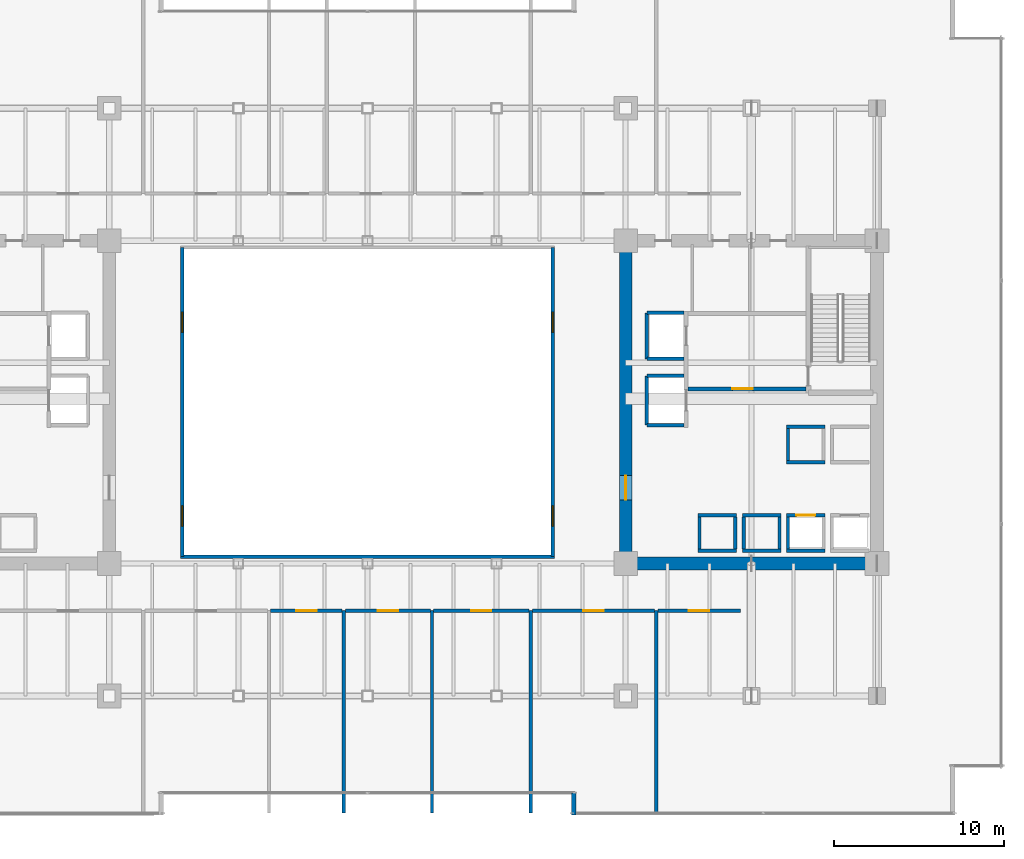
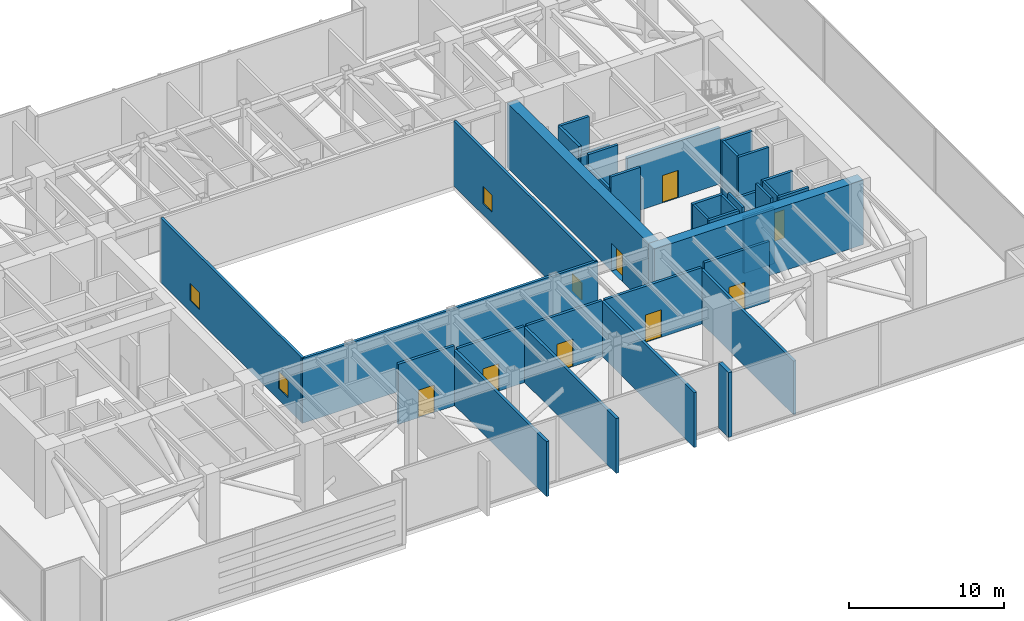
# One storey, part 33 of 38: 36 walls, 8 doors, 4 windows, 12 openings.
"""IFC4 building model written with IfcOpenShell, lengths in metres."""

from ifc_helpers import new_model, si_unit, direction, frame, frame_2d, origin, place, context, subcontext, project, spatial, rectangle, extrude, source, transform, mapped, material, layer, layer_set, type_object, type_shapes, element, fill, save


model = new_model("IFC4")

# Units and contexts
model_context = context("Model", 3, precision=1e-05, world=origin(), true_north=direction((0.0, 1.0)))
body_context = subcontext(model_context, "Body", "Model", "MODEL_VIEW")
ifc_project = project(units=[si_unit("LENGTHUNIT", "METRE"), si_unit("AREAUNIT", "SQUARE_METRE"), si_unit("VOLUMEUNIT", "CUBIC_METRE"), si_unit("PLANEANGLEUNIT", "RADIAN"), si_unit("MASSUNIT", "GRAM", prefix="KILO")], contexts=[model_context])

# Site, building, storey
site_placement = place(None, origin())
site = spatial("IfcSite", under=ifc_project, at=site_placement, CompositionType="ELEMENT")
building_placement = place(site_placement, origin())
building = spatial("IfcBuilding", under=site, at=building_placement, Name="Haelvirn Gate Laboratories", CompositionType="ELEMENT")
storey_placement = place(building_placement, frame((0.0, 0.0, 94.89990234375)))
storey = spatial("IfcBuildingStorey", under=building, at=storey_placement, Name="L23", CompositionType="ELEMENT", Elevation=94.89990234375)

# Wall
ifc_material_1 = material(Name="Thermally-broken bronze aluminium rainscreen & mineral wool", Category="aluminium")
ifc_layer_1 = layer(ifc_material_1, 0.280029296875, Name="EW-TERR-280")
ifc_layer_set_1 = layer_set([ifc_layer_1], Name="Thermally-broken bronze aluminium rainscreen & mineral wool")
wall_type_1 = type_object("IfcWallType", Name="EW-TERR-280", PredefinedType="STANDARD", material=ifc_layer_set_1)
wall_1_placement = place(storey_placement, frame((49.5400390625, 1.2880859375, 0.0), z_axis=(0.0, 0.0, 1.0), x_axis=(0.0, -1.0, 0.0)))
element("IfcWall", 1, at=wall_1_placement, inside=storey, type_object=wall_type_1, Name="L23 Atrium Recess Bronze Return Wall 03", PredefinedType="STANDARD", context=body_context, shape_type="SweptSolid", body=[
    extrude(rectangle(XDim=1.2880859375, YDim=0.280029296875, at=frame_2d((0.64404296875, 0.0))), origin(), (0.0, 0.0, 1.0), 5.090087890625),
])

# Wall, openings, windows
ifc_material_2 = material(Name="Tempered fire-rated borosilicate glass & anodised aluminium", Category="aluminium")
ifc_layer_2 = layer(ifc_material_2, 0.195068359375, Name="IW-GLAZ-200")
ifc_layer_set_2 = layer_set([ifc_layer_2], Name="Tempered fire-rated borosilicate glass & anodised aluminium")
wall_type_2 = type_object("IfcWallType", Name="IW-GLAZ-200", PredefinedType="SOLIDWALL", material=ifc_layer_set_2)
wall_2_placement = place(storey_placement, frame((26.5, 15.199951171875, 0.0), z_axis=(0.0, 0.0, 1.0), x_axis=(0.0, 1.0, 0.0)))
wall_2 = element("IfcWall", 2, at=wall_2_placement, inside=storey, type_object=wall_type_2, Name="L23 Interior Wall IW-L23-ATRIUM-W", PredefinedType="SOLIDWALL", context=body_context, shape_type="SweptSolid", body=[
    extrude(rectangle(XDim=18.199951171875, YDim=0.195068359375, at=frame_2d((9.10009765625, 0.0))), origin(), (0.0, 0.0, 1.0), 5.090087890625),
])
opening_1_placement = place(wall_2_placement, frame((1.800048828125, 0.0, 0.89990234375)))
opening_1 = element("IfcOpeningElement", 3, at=opening_1_placement, cuts=wall_2, Name="Opening W6", PredefinedType="OPENING", context=body_context, shape_type="SweptSolid", body=[
    extrude(rectangle(XDim=1.199951171875, YDim=1.35009765625, at=frame_2d((0.60009765625, 0.675048828125))), frame((0.0, 0.107421875, 0.0), z_axis=(0.0, -1.0, 0.0), x_axis=(1.0, 0.0, 0.0)), (0.0, 0.0, 1.0), 0.215087890625),
])
opening_2_placement = place(wall_2_placement, frame((13.199951171875, 0.0, 0.89990234375)))
opening_2 = element("IfcOpeningElement", 4, at=opening_2_placement, cuts=wall_2, Name="Opening W6", PredefinedType="OPENING", context=body_context, shape_type="SweptSolid", body=[
    extrude(rectangle(XDim=1.199951171875, YDim=1.35009765625, at=frame_2d((0.60009765625, 0.675048828125))), frame((0.0, 0.107421875, 0.0), z_axis=(0.0, -1.0, 0.0), x_axis=(1.0, 0.0, 0.0)), (0.0, 0.0, 1.0), 0.215087890625),
])
ifc_material_3 = material(Name="Fire-rated EI 120 borosilicate atrium vision glazing", Category="glass")
window_type = type_object("IfcWindowType", Name="WN-ATR-1200", PartitioningType="SINGLE_PANEL", PredefinedType="WINDOW", material=ifc_material_3)
shared_shape_1 = source(origin(), body_context, "Body", "SweptSolid", [
    extrude(rectangle(XDim=1.199951171875, YDim=1.35009765625, at=frame_2d((0.60009765625, 0.675048828125))), frame((0.0, 0.030029296875, 0.0), z_axis=(0.0, -1.0, 0.0), x_axis=(1.0, 0.0, 0.0)), (0.0, 0.0, 1.0), 0.06005859375),
])
type_shapes(window_type, [shared_shape_1])
window_1_placement = place(opening_1_placement, origin())
window_1 = element("IfcWindow", 5, at=window_1_placement, inside=storey, type_object=window_type, Name="L23 Atrium Observation Window 1", OverallHeight=1.35009765625, OverallWidth=1.199951171875, PartitioningType="SINGLE_PANEL", PredefinedType="WINDOW", context=body_context, shape_type="MappedRepresentation", body=[
    mapped(shared_shape_1, transform((0.0, 0.0, 0.0), scale=1.0)),
])
fill(opening_1, window_1)
window_2_placement = place(opening_2_placement, origin())
window_2 = element("IfcWindow", 6, at=window_2_placement, inside=storey, type_object=window_type, Name="L23 Atrium Observation Window 2", OverallHeight=1.35009765625, OverallWidth=1.199951171875, PartitioningType="SINGLE_PANEL", PredefinedType="WINDOW", context=body_context, shape_type="MappedRepresentation", body=[
    mapped(shared_shape_1, transform((0.0, 0.0, 0.0), scale=1.0)),
])
fill(opening_2, window_2)

wall_3_placement = place(storey_placement, frame((48.300048828125, 15.199951171875, 0.0), z_axis=(0.0, 0.0, 1.0), x_axis=(0.0, 1.0, 0.0)))
wall_3 = element("IfcWall", 7, at=wall_3_placement, inside=storey, type_object=wall_type_2, Name="L23 Interior Wall IW-L23-ATRIUM-E", PredefinedType="SOLIDWALL", context=body_context, shape_type="SweptSolid", body=[
    extrude(rectangle(XDim=18.199951171875, YDim=0.195068359375, at=frame_2d((9.10009765625, 0.0))), origin(), (0.0, 0.0, 1.0), 5.090087890625),
])
opening_3_placement = place(wall_3_placement, frame((1.800048828125, 0.0, 0.89990234375)))
opening_3 = element("IfcOpeningElement", 8, at=opening_3_placement, cuts=wall_3, Name="Opening W6", PredefinedType="OPENING", context=body_context, shape_type="SweptSolid", body=[
    extrude(rectangle(XDim=1.199951171875, YDim=1.35009765625, at=frame_2d((0.60009765625, 0.675048828125))), frame((0.0, 0.107421875, 0.0), z_axis=(0.0, -1.0, 0.0), x_axis=(1.0, 0.0, 0.0)), (0.0, 0.0, 1.0), 0.215087890625),
])
opening_4_placement = place(wall_3_placement, frame((13.199951171875, 0.0, 0.89990234375)))
opening_4 = element("IfcOpeningElement", 9, at=opening_4_placement, cuts=wall_3, Name="Opening W6", PredefinedType="OPENING", context=body_context, shape_type="SweptSolid", body=[
    extrude(rectangle(XDim=1.199951171875, YDim=1.35009765625, at=frame_2d((0.60009765625, 0.675048828125))), frame((0.0, 0.107421875, 0.0), z_axis=(0.0, -1.0, 0.0), x_axis=(1.0, 0.0, 0.0)), (0.0, 0.0, 1.0), 0.215087890625),
])
window_3_placement = place(opening_3_placement, origin())
window_3 = element("IfcWindow", 10, at=window_3_placement, inside=storey, type_object=window_type, Name="L23 Atrium Observation Window 1", OverallHeight=1.35009765625, OverallWidth=1.199951171875, PartitioningType="SINGLE_PANEL", PredefinedType="WINDOW", context=body_context, shape_type="MappedRepresentation", body=[
    mapped(shared_shape_1, transform((0.0, 0.0, 0.0), scale=1.0)),
])
fill(opening_3, window_3)
window_4_placement = place(opening_4_placement, origin())
window_4 = element("IfcWindow", 11, at=window_4_placement, inside=storey, type_object=window_type, Name="L23 Atrium Observation Window 2", OverallHeight=1.35009765625, OverallWidth=1.199951171875, PartitioningType="SINGLE_PANEL", PredefinedType="WINDOW", context=body_context, shape_type="MappedRepresentation", body=[
    mapped(shared_shape_1, transform((0.0, 0.0, 0.0), scale=1.0)),
])
fill(opening_4, window_4)

# Walls
wall_4_placement = place(storey_placement, frame((26.39990234375, 15.199951171875, 0.0), z_axis=(0.0, 0.0, 1.0), x_axis=(1.0, 0.0, 0.0)))
element("IfcWall", 12, at=wall_4_placement, inside=storey, type_object=wall_type_2, Name="L23 Interior Wall IW-L23-ATRIUM-S", PredefinedType="SOLIDWALL", context=body_context, shape_type="SweptSolid", body=[
    extrude(rectangle(XDim=22.0, YDim=0.195068359375, at=frame_2d((11.0, 0.0))), origin(), (0.0, 0.0, 1.0), 5.090087890625),
])
ifc_material_4 = material(Name="Concrete C40/50", Category="concrete")
ifc_layer_3 = layer(ifc_material_4, 0.179931640625, Name="IW-SHAFT-180")
ifc_layer_set_3 = layer_set([ifc_layer_3], Name="Concrete C40/50")
wall_type_3 = type_object("IfcWallType", Name="IW-SHAFT-180", PredefinedType="SOLIDWALL", material=ifc_layer_set_3)
for number, where, z_axis, x_axis, name in (
    (13, (62.14990234375, 15.64990234375, 0.0), (0.0, 0.0, 1.0), (0.0, 1.0, 0.0), "L23 Interior Wall IW-L23-PL4-SD"),
    (14, (59.550048828125, 15.64990234375, 0.0), (0.0, 0.0, 1.0), (0.0, 1.0, 0.0), "L23 Interior Wall IW-L23-PL7-SD"),
    (15, (61.64990234375, 15.64990234375, 0.0), (0.0, 0.0, 1.0), (0.0, 1.0, 0.0), "L23 Interior Wall IW-L23-PL7-SDE"),
    (16, (56.949951171875, 15.64990234375, 0.0), (0.0, 0.0, 1.0), (0.0, 1.0, 0.0), "L23 Interior Wall IW-L23-PL8-SD"),
    (17, (59.050048828125, 15.64990234375, 0.0), (0.0, 0.0, 1.0), (0.0, 1.0, 0.0), "L23 Interior Wall IW-L23-PL8-SDE"),
):
    element("IfcWall", number, at=place(storey_placement, frame(where, z_axis=z_axis, x_axis=x_axis)), inside=storey, type_object=wall_type_3, Name=name, PredefinedType="SOLIDWALL", context=body_context, shape_type="SweptSolid", body=[
        extrude(rectangle(XDim=1.900146484375, YDim=0.179931640625, at=frame_2d((0.9501953125, 0.0))), origin(), (0.0, 0.0, 1.0), 5.090087890625),
    ])
wall_5_placement = place(storey_placement, frame((62.14990234375, 20.85009765625, 0.0), z_axis=(0.0, 0.0, 1.0), x_axis=(0.0, 1.0, 0.0)))
element("IfcWall", 18, at=wall_5_placement, inside=storey, type_object=wall_type_3, Name="L23 Interior Wall IW-L23-PL12-SD", PredefinedType="SOLIDWALL", context=body_context, shape_type="SweptSolid", body=[
    extrude(rectangle(XDim=1.89990234375, YDim=0.179931640625, at=frame_2d((0.949951171875, 0.0))), origin(), (0.0, 0.0, 1.0), 5.090087890625),
])

# Wall, opening, door
ifc_layer_4 = layer(ifc_material_4, 0.199951171875, Name="IW-SHAFT-200")
ifc_layer_set_4 = layer_set([ifc_layer_4], Name="Concrete C40/50")
wall_type_4 = type_object("IfcWallType", Name="IW-SHAFT-200", PredefinedType="SOLIDWALL", material=ifc_layer_set_4)
wall_6_placement = place(storey_placement, frame((62.070068359375, 17.64990234375, 0.0), z_axis=(0.0, 0.0, 1.0), x_axis=(1.0, 0.0, 0.0)))
wall_6 = element("IfcWall", 19, at=wall_6_placement, inside=storey, type_object=wall_type_4, Name="L23 Interior Wall IW-L23-PL4-FR", PredefinedType="SOLIDWALL", context=body_context, shape_type="SweptSolid", body=[
    extrude(rectangle(XDim=2.260009765625, YDim=0.199951171875, at=frame_2d((1.1298828125, 0.0))), origin(), (0.0, 0.0, 1.0), 5.090087890625),
])
opening_5_placement = place(wall_6_placement, frame((0.580078125, 0.0, 0.0)))
opening_5 = element("IfcOpeningElement", 20, at=opening_5_placement, cuts=wall_6, Name="Opening LD2", PredefinedType="OPENING", context=body_context, shape_type="SweptSolid", body=[
    extrude(rectangle(XDim=1.10009765625, YDim=2.219970703125, at=frame_2d((0.550048828125, 1.10986328125))), frame((0.0, 0.10986328125, 0.0), z_axis=(0.0, -1.0, 0.0), x_axis=(1.0, 0.0, 0.0)), (0.0, 0.0, 1.0), 0.219970703125),
])
ifc_material_5 = material(Name="Bronze stainless 316L sliding lift landing door")
door_type_1 = type_object("IfcDoorType", Name="DR-LD-1100", OperationType="NOTDEFINED", PredefinedType="USERDEFINED", material=ifc_material_5)
shared_shape_2 = source(origin(), body_context, "Body", "SweptSolid", [
    extrude(rectangle(XDim=1.10009765625, YDim=2.219970703125, at=frame_2d((0.550048828125, 1.10986328125))), frame((0.0, 0.02490234375, 0.0), z_axis=(0.0, -1.0, 0.0), x_axis=(1.0, 0.0, 0.0)), (0.0, 0.0, 1.0), 0.050048828125),
])
type_shapes(door_type_1, [shared_shape_2])
door_1_placement = place(opening_5_placement, origin())
door_1 = element("IfcDoor", 21, at=door_1_placement, inside=storey, type_object=door_type_1, Name="L23 Passenger Lift PL4 Landing Door", ObjectType="LANDING_DOOR", OperationType="SLIDING_TO_RIGHT", OverallHeight=2.219970703125, OverallWidth=1.10009765625, PredefinedType="USERDEFINED", context=body_context, shape_type="MappedRepresentation", body=[
    mapped(shared_shape_2, transform((0.0, 0.0, 0.0), scale=1.0)),
])
fill(opening_5, door_1)

# Walls
wall_7_placement = place(storey_placement, frame((62.070068359375, 15.550048828125, 0.0), z_axis=(0.0, 0.0, 1.0), x_axis=(1.0, 0.0, 0.0)))
element("IfcWall", 22, at=wall_7_placement, inside=storey, type_object=wall_type_4, Name="L23 Interior Wall IW-L23-PL4-BK", PredefinedType="SOLIDWALL", context=body_context, shape_type="SweptSolid", body=[
    extrude(rectangle(XDim=2.260009765625, YDim=0.199951171875, at=frame_2d((1.1298828125, 0.0))), origin(), (0.0, 0.0, 1.0), 5.090087890625),
])
for number, where, z_axis, x_axis, name in (
    (23, (59.469970703125, 17.64990234375, 0.0), (0.0, 0.0, 1.0), (1.0, 0.0, 0.0), "L23 Interior Wall IW-L23-PL7-FR"),
    (24, (59.469970703125, 15.550048828125, 0.0), (0.0, 0.0, 1.0), (1.0, 0.0, 0.0), "L23 Interior Wall IW-L23-PL7-BK"),
):
    element("IfcWall", number, at=place(storey_placement, frame(where, z_axis=z_axis, x_axis=x_axis)), inside=storey, type_object=wall_type_4, Name=name, PredefinedType="SOLIDWALL", context=body_context, shape_type="SweptSolid", body=[
        extrude(rectangle(XDim=2.260009765625, YDim=0.199951171875, at=frame_2d((1.1298828125, 0.0))), origin(), (0.0, 0.0, 1.0), 4.425048828125),
    ])
for number, where, z_axis, x_axis, name in (
    (25, (56.8701171875, 17.64990234375, 0.0), (0.0, 0.0, 1.0), (1.0, 0.0, 0.0), "L23 Interior Wall IW-L23-PL8-FR"),
    (26, (56.8701171875, 15.550048828125, 0.0), (0.0, 0.0, 1.0), (1.0, 0.0, 0.0), "L23 Interior Wall IW-L23-PL8-BK"),
):
    element("IfcWall", number, at=place(storey_placement, frame(where, z_axis=z_axis, x_axis=x_axis)), inside=storey, type_object=wall_type_4, Name=name, PredefinedType="SOLIDWALL", context=body_context, shape_type="SweptSolid", body=[
        extrude(rectangle(XDim=2.259765625, YDim=0.199951171875, at=frame_2d((1.1298828125, 0.0))), origin(), (0.0, 0.0, 1.0), 5.090087890625),
    ])
for number, where, z_axis, x_axis, name in (
    (27, (62.070068359375, 20.75, 0.0), (0.0, 0.0, 1.0), (1.0, 0.0, 0.0), "L23 Interior Wall IW-L23-PL12-FR"),
    (28, (62.070068359375, 22.85009765625, 0.0), (0.0, 0.0, 1.0), (1.0, 0.0, 0.0), "L23 Interior Wall IW-L23-PL12-BK"),
):
    element("IfcWall", number, at=place(storey_placement, frame(where, z_axis=z_axis, x_axis=x_axis)), inside=storey, type_object=wall_type_4, Name=name, PredefinedType="SOLIDWALL", context=body_context, shape_type="SweptSolid", body=[
        extrude(rectangle(XDim=2.260009765625, YDim=0.199951171875, at=frame_2d((1.1298828125, 0.0))), origin(), (0.0, 0.0, 1.0), 5.090087890625),
    ])
wall_8_placement = place(storey_placement, frame((53.85009765625, 26.85009765625, 0.0), z_axis=(0.0, 0.0, 1.0), x_axis=(0.0, 1.0, 0.0)))
element("IfcWall", 29, at=wall_8_placement, inside=storey, type_object=wall_type_4, Name="L23 Interior Wall IW-L23-FL2-BK", PredefinedType="SOLIDWALL", context=body_context, shape_type="SweptSolid", body=[
    extrude(rectangle(XDim=2.699951171875, YDim=0.199951171875, at=frame_2d((1.35009765625, 0.0))), origin(), (0.0, 0.0, 1.0), 5.090087890625),
])
wall_9_placement = place(storey_placement, frame((53.85009765625, 29.550048828125, 0.0), z_axis=(0.0, 0.0, 1.0), x_axis=(1.0, 0.0, 0.0)))
element("IfcWall", 30, at=wall_9_placement, inside=storey, type_object=wall_type_4, Name="L23 Interior Wall IW-L23-FL2-N", PredefinedType="SOLIDWALL", context=body_context, shape_type="SweptSolid", body=[
    extrude(rectangle(XDim=2.18994140625, YDim=0.199951171875, at=frame_2d((1.094970703125, 0.0))), origin(), (0.0, 0.0, 1.0), 5.090087890625),
])
wall_10_placement = place(storey_placement, frame((53.85009765625, 26.85009765625, 0.0), z_axis=(0.0, 0.0, 1.0), x_axis=(1.0, 0.0, 0.0)))
element("IfcWall", 31, at=wall_10_placement, inside=storey, type_object=wall_type_4, Name="L23 Interior Wall IW-L23-FL2-S", PredefinedType="SOLIDWALL", context=body_context, shape_type="SweptSolid", body=[
    extrude(rectangle(XDim=2.18994140625, YDim=0.199951171875, at=frame_2d((1.094970703125, 0.0))), origin(), (0.0, 0.0, 1.0), 4.487060546875),
])
wall_11_placement = place(storey_placement, frame((53.85009765625, 22.949951171875, 0.0), z_axis=(0.0, 0.0, 1.0), x_axis=(0.0, 1.0, 0.0)))
element("IfcWall", 32, at=wall_11_placement, inside=storey, type_object=wall_type_4, Name="L23 Interior Wall IW-L23-SL2-BK", PredefinedType="SOLIDWALL", context=body_context, shape_type="SweptSolid", body=[
    extrude(rectangle(XDim=2.900146484375, YDim=0.199951171875, at=frame_2d((1.4501953125, 0.0))), origin(), (0.0, 0.0, 1.0), 4.175048828125),
])
for number, where, z_axis, x_axis, name in (
    (33, (53.85009765625, 25.85009765625, 0.0), (0.0, 0.0, 1.0), (1.0, 0.0, 0.0), "L23 Interior Wall IW-L23-SL2-N"),
    (34, (53.85009765625, 22.949951171875, 0.0), (0.0, 0.0, 1.0), (1.0, 0.0, 0.0), "L23 Interior Wall IW-L23-SL2-S"),
):
    element("IfcWall", number, at=place(storey_placement, frame(where, z_axis=z_axis, x_axis=x_axis)), inside=storey, type_object=wall_type_4, Name=name, PredefinedType="SOLIDWALL", context=body_context, shape_type="SweptSolid", body=[
        extrude(rectangle(XDim=2.18994140625, YDim=0.199951171875, at=frame_2d((1.094970703125, 0.0))), origin(), (0.0, 0.0, 1.0), 5.090087890625),
    ])

# Wall, opening, door
wall_12_placement = place(storey_placement, frame((31.699951171875, 12.02001953125, 0.0), z_axis=(0.0, 0.0, 1.0), x_axis=(1.0, 0.0, 0.0)))
wall_12 = element("IfcWall", 35, at=wall_12_placement, inside=storey, type_object=wall_type_4, Name="L23 Interior Wall IW-L23-PSW-3", PredefinedType="SOLIDWALL", context=body_context, shape_type="SweptSolid", body=[
    extrude(rectangle(XDim=4.199951171875, YDim=0.199951171875, at=frame_2d((2.10009765625, 0.0))), origin(), (0.0, 0.0, 1.0), 4.72509765625),
])
opening_6_placement = place(wall_12_placement, frame((1.5, 0.0, 0.0)))
opening_6 = element("IfcOpeningElement", 36, at=opening_6_placement, cuts=wall_12, Name="Opening FD2", PredefinedType="OPENING", context=body_context, shape_type="SweptSolid", body=[
    extrude(rectangle(XDim=1.199951171875, YDim=2.159912109375, at=frame_2d((0.60009765625, 1.080078125))), frame((0.0, 0.10986328125, 0.0), z_axis=(0.0, -1.0, 0.0), x_axis=(1.0, 0.0, 0.0)), (0.0, 0.0, 1.0), 0.219970703125),
])
ifc_material_6 = material(Name="Fire-rated steel SM355 compartment door", Category="steel")
door_type_2 = type_object("IfcDoorType", Name="DR-FD-1200", OperationType="NOTDEFINED", PredefinedType="DOOR", material=ifc_material_6)
shared_shape_3 = source(origin(), body_context, "Body", "SweptSolid", [
    extrude(rectangle(XDim=1.199951171875, YDim=2.159912109375, at=frame_2d((0.60009765625, 1.080078125))), frame((0.0, 0.02490234375, 0.0), z_axis=(0.0, -1.0, 0.0), x_axis=(1.0, 0.0, 0.0)), (0.0, 0.0, 1.0), 0.050048828125),
])
type_shapes(door_type_2, [shared_shape_3])
door_2_placement = place(opening_6_placement, origin())
door_2 = element("IfcDoor", 37, at=door_2_placement, inside=storey, type_object=door_type_2, Name="L23 Low-Zone Chilled-Water Mechanical Plant Fire Door", OperationType="SINGLE_SWING_LEFT", OverallHeight=2.159912109375, OverallWidth=1.199951171875, PredefinedType="DOOR", context=body_context, shape_type="MappedRepresentation", body=[
    mapped(shared_shape_3, transform((0.0, 0.0, 0.0), scale=1.0)),
])
fill(opening_6, door_2)

# Wall
wall_13_placement = place(storey_placement, frame((36.0, 0.110107421875, 0.0), z_axis=(0.0, 0.0, 1.0), x_axis=(0.0, 1.0, 0.0)))
element("IfcWall", 38, at=wall_13_placement, inside=storey, type_object=wall_type_4, Name="L23 Interior Wall IW-L23-PSDIV-3", PredefinedType="SOLIDWALL", context=body_context, shape_type="SweptSolid", body=[
    extrude(rectangle(XDim=11.909912109375, YDim=0.199951171875, at=frame_2d((5.955078125, 0.0))), origin(), (0.0, 0.0, 1.0), 4.3251953125),
])

# Wall, opening, door
wall_14_placement = place(storey_placement, frame((36.10009765625, 12.02001953125, 0.0), z_axis=(0.0, 0.0, 1.0), x_axis=(1.0, 0.0, 0.0)))
wall_14 = element("IfcWall", 39, at=wall_14_placement, inside=storey, type_object=wall_type_4, Name="L23 Interior Wall IW-L23-PSW-4", PredefinedType="SOLIDWALL", context=body_context, shape_type="SweptSolid", body=[
    extrude(rectangle(XDim=5.0, YDim=0.199951171875, at=frame_2d((2.5, 0.0))), origin(), (0.0, 0.0, 1.0), 4.425048828125),
])
opening_7_placement = place(wall_14_placement, frame((1.89990234375, 0.0, 0.0)))
opening_7 = element("IfcOpeningElement", 40, at=opening_7_placement, cuts=wall_14, Name="Opening FD2", PredefinedType="OPENING", context=body_context, shape_type="SweptSolid", body=[
    extrude(rectangle(XDim=1.199951171875, YDim=2.159912109375, at=frame_2d((0.60009765625, 1.080078125))), frame((0.0, 0.10986328125, 0.0), z_axis=(0.0, -1.0, 0.0), x_axis=(1.0, 0.0, 0.0)), (0.0, 0.0, 1.0), 0.219970703125),
])
door_3_placement = place(opening_7_placement, origin())
door_3 = element("IfcDoor", 41, at=door_3_placement, inside=storey, type_object=door_type_2, Name="L23 Lab Make-Up Air Mechanical Plant Fire Door", OperationType="SINGLE_SWING_RIGHT", OverallHeight=2.159912109375, OverallWidth=1.199951171875, PredefinedType="DOOR", context=body_context, shape_type="MappedRepresentation", body=[
    mapped(shared_shape_3, transform((0.0, 0.0, 0.0), scale=1.0)),
])
fill(opening_7, door_3)

# Wall
wall_15_placement = place(storey_placement, frame((41.199951171875, 0.110107421875, 0.0), z_axis=(0.0, 0.0, 1.0), x_axis=(0.0, 1.0, 0.0)))
element("IfcWall", 42, at=wall_15_placement, inside=storey, type_object=wall_type_4, Name="L23 Interior Wall IW-L23-PSDIV-4", PredefinedType="SOLIDWALL", context=body_context, shape_type="SweptSolid", body=[
    extrude(rectangle(XDim=11.909912109375, YDim=0.199951171875, at=frame_2d((5.955078125, 0.0))), origin(), (0.0, 0.0, 1.0), 4.3251953125),
])

# Wall, opening, door
wall_16_placement = place(storey_placement, frame((41.300048828125, 12.02001953125, 0.0), z_axis=(0.0, 0.0, 1.0), x_axis=(1.0, 0.0, 0.0)))
wall_16 = element("IfcWall", 43, at=wall_16_placement, inside=storey, type_object=wall_type_4, Name="L23 Interior Wall IW-L23-PSW-5", PredefinedType="SOLIDWALL", context=body_context, shape_type="SweptSolid", body=[
    extrude(rectangle(XDim=5.599853515625, YDim=0.199951171875, at=frame_2d((2.7998046875, 0.0))), origin(), (0.0, 0.0, 1.0), 4.425048828125),
])
opening_8_placement = place(wall_16_placement, frame((2.199951171875, 0.0, 0.0)))
opening_8 = element("IfcOpeningElement", 44, at=opening_8_placement, cuts=wall_16, Name="Opening FD2", PredefinedType="OPENING", context=body_context, shape_type="SweptSolid", body=[
    extrude(rectangle(XDim=1.199951171875, YDim=2.159912109375, at=frame_2d((0.60009765625, 1.080078125))), frame((0.0, 0.10986328125, 0.0), z_axis=(0.0, -1.0, 0.0), x_axis=(1.0, 0.0, 0.0)), (0.0, 0.0, 1.0), 0.219970703125),
])
door_4_placement = place(opening_8_placement, origin())
door_4 = element("IfcDoor", 45, at=door_4_placement, inside=storey, type_object=door_type_2, Name="L23 Low-Zone Switchgear Plant Fire Door", OperationType="SINGLE_SWING_LEFT", OverallHeight=2.159912109375, OverallWidth=1.199951171875, PredefinedType="DOOR", context=body_context, shape_type="MappedRepresentation", body=[
    mapped(shared_shape_3, transform((0.0, 0.0, 0.0), scale=1.0)),
])
fill(opening_8, door_4)

# Wall
wall_17_placement = place(storey_placement, frame((47.0, 0.110107421875, 0.0), z_axis=(0.0, 0.0, 1.0), x_axis=(0.0, 1.0, 0.0)))
element("IfcWall", 46, at=wall_17_placement, inside=storey, type_object=wall_type_4, Name="L23 Interior Wall IW-L23-PSDIV-5", PredefinedType="SOLIDWALL", context=body_context, shape_type="SweptSolid", body=[
    extrude(rectangle(XDim=11.909912109375, YDim=0.199951171875, at=frame_2d((5.955078125, 0.0))), origin(), (0.0, 0.0, 1.0), 4.3251953125),
])

# Wall, opening, door
wall_18_placement = place(storey_placement, frame((47.10009765625, 12.02001953125, 0.0), z_axis=(0.0, 0.0, 1.0), x_axis=(1.0, 0.0, 0.0)))
wall_18 = element("IfcWall", 47, at=wall_18_placement, inside=storey, type_object=wall_type_4, Name="L23 Interior Wall IW-L23-PSW-6", PredefinedType="SOLIDWALL", context=body_context, shape_type="SweptSolid", body=[
    extrude(rectangle(XDim=7.199951171875, YDim=0.199951171875, at=frame_2d((3.60009765625, 0.0))), origin(), (0.0, 0.0, 1.0), 4.425048828125),
])
opening_9_placement = place(wall_18_placement, frame((3.0, 0.0, 0.0)))
opening_9 = element("IfcOpeningElement", 48, at=opening_9_placement, cuts=wall_18, Name="Opening FD2", PredefinedType="OPENING", context=body_context, shape_type="SweptSolid", body=[
    extrude(rectangle(XDim=1.199951171875, YDim=2.159912109375, at=frame_2d((0.60009765625, 1.080078125))), frame((0.0, 0.10986328125, 0.0), z_axis=(0.0, -1.0, 0.0), x_axis=(1.0, 0.0, 0.0)), (0.0, 0.0, 1.0), 0.219970703125),
])
door_5_placement = place(opening_9_placement, origin())
door_5 = element("IfcDoor", 49, at=door_5_placement, inside=storey, type_object=door_type_2, Name="L23 East Sky Evacuation Refuge Zone 1B Fire Door", OperationType="SINGLE_SWING_RIGHT", OverallHeight=2.159912109375, OverallWidth=1.199951171875, PredefinedType="DOOR", context=body_context, shape_type="MappedRepresentation", body=[
    mapped(shared_shape_3, transform((0.0, 0.0, 0.0), scale=1.0)),
])
fill(opening_9, door_5)

# Wall
wall_19_placement = place(storey_placement, frame((54.39990234375, 0.110107421875, 0.0), z_axis=(0.0, 0.0, 1.0), x_axis=(0.0, 1.0, 0.0)))
element("IfcWall", 50, at=wall_19_placement, inside=storey, type_object=wall_type_4, Name="L23 Interior Wall IW-L23-PSDIV-6", PredefinedType="SOLIDWALL", context=body_context, shape_type="SweptSolid", body=[
    extrude(rectangle(XDim=11.909912109375, YDim=0.199951171875, at=frame_2d((5.955078125, 0.0))), origin(), (0.0, 0.0, 1.0), 4.22509765625),
])

# Wall, opening, door
wall_20_placement = place(storey_placement, frame((54.5, 12.02001953125, 0.0), z_axis=(0.0, 0.0, 1.0), x_axis=(1.0, 0.0, 0.0)))
wall_20 = element("IfcWall", 51, at=wall_20_placement, inside=storey, type_object=wall_type_4, Name="L23 Interior Wall IW-L23-PSW-7", PredefinedType="SOLIDWALL", context=body_context, shape_type="SweptSolid", body=[
    extrude(rectangle(XDim=4.85009765625, YDim=0.199951171875, at=frame_2d((2.425048828125, 0.0))), origin(), (0.0, 0.0, 1.0), 4.72509765625),
])
opening_10_placement = place(wall_20_placement, frame((1.824951171875, 0.0, 0.0)))
opening_10 = element("IfcOpeningElement", 52, at=opening_10_placement, cuts=wall_20, Name="Opening FD2", PredefinedType="OPENING", context=body_context, shape_type="SweptSolid", body=[
    extrude(rectangle(XDim=1.199951171875, YDim=2.159912109375, at=frame_2d((0.60009765625, 1.080078125))), frame((0.0, 0.10986328125, 0.0), z_axis=(0.0, -1.0, 0.0), x_axis=(1.0, 0.0, 0.0)), (0.0, 0.0, 1.0), 0.219970703125),
])
door_6_placement = place(opening_10_placement, origin())
door_6 = element("IfcDoor", 53, at=door_6_placement, inside=storey, type_object=door_type_2, Name="L23 East Sky Evacuation Refuge Zone 1A Fire Door", OperationType="SINGLE_SWING_LEFT", OverallHeight=2.159912109375, OverallWidth=1.199951171875, PredefinedType="DOOR", context=body_context, shape_type="MappedRepresentation", body=[
    mapped(shared_shape_3, transform((0.0, 0.0, 0.0), scale=1.0)),
])
fill(opening_10, door_6)

ifc_layer_5 = layer(ifc_material_4, 0.239990234375, Name="IW-SHAFT-240")
ifc_layer_set_5 = layer_set([ifc_layer_5], Name="Concrete C40/50")
wall_type_5 = type_object("IfcWallType", Name="IW-SHAFT-240", PredefinedType="SOLIDWALL", material=ifc_layer_set_5)
wall_21_placement = place(storey_placement, frame((56.280029296875, 25.080078125, 0.0), z_axis=(0.0, 0.0, 1.0), x_axis=(1.0, 0.0, 0.0)))
wall_21 = element("IfcWall", 54, at=wall_21_placement, inside=storey, type_object=wall_type_5, Name="L23 Interior Wall IW-L23-E-FF-S", PredefinedType="SOLIDWALL", context=body_context, shape_type="SweptSolid", body=[
    extrude(rectangle(XDim=6.919921875, YDim=0.239990234375, at=frame_2d((3.4599609375, 0.0))), origin(), (0.0, 0.0, 1.0), 4.425048828125),
])
opening_11_placement = place(wall_21_placement, frame((2.60009765625, 0.0, 0.0)))
opening_11 = element("IfcOpeningElement", 55, at=opening_11_placement, cuts=wall_21, Name="Opening FD2", PredefinedType="OPENING", context=body_context, shape_type="SweptSolid", body=[
    extrude(rectangle(XDim=1.199951171875, YDim=2.159912109375, at=frame_2d((0.60009765625, 1.080078125))), frame((0.0, 0.1298828125, 0.0), z_axis=(0.0, -1.0, 0.0), x_axis=(1.0, 0.0, 0.0)), (0.0, 0.0, 1.0), 0.260009765625),
])
door_7_placement = place(opening_11_placement, origin())
door_7 = element("IfcDoor", 56, at=door_7_placement, inside=storey, type_object=door_type_2, Name="L23 East Firefighting Lobby Door", OperationType="SINGLE_SWING_LEFT", OverallHeight=2.159912109375, OverallWidth=1.199951171875, PredefinedType="DOOR", context=body_context, shape_type="MappedRepresentation", body=[
    mapped(shared_shape_3, transform((0.0, 0.0, 0.0), scale=1.0)),
])
fill(opening_11, door_7)

# Wall
ifc_material_7 = material(Name="Concrete C70/85", Category="concrete")
ifc_layer_6 = layer(ifc_material_7, 0.75, Name="SW-CORE-750")
ifc_layer_set_6 = layer_set([ifc_layer_6], Name="Concrete C70/85")
wall_type_6 = type_object("IfcWallType", Name="SW-CORE-750", PredefinedType="SHEAR", material=ifc_layer_set_6)
wall_22_placement = place(storey_placement, frame((52.22509765625, 14.800048828125, 0.0), z_axis=(0.0, 0.0, 1.0), x_axis=(1.0, 0.0, 0.0)))
element("IfcWall", 57, at=wall_22_placement, inside=storey, type_object=wall_type_6, Name="L23 E Core Shear Wall S", PredefinedType="SHEAR", context=body_context, shape_type="SweptSolid", body=[
    extrude(rectangle(XDim=15.5498046875, YDim=0.75, at=frame_2d((7.77490234375, 0.0))), origin(), (0.0, 0.0, 1.0), 5.090087890625),
])

# Wall, opening, door
wall_23_placement = place(storey_placement, frame((52.60009765625, 15.175048828125, 0.0), z_axis=(0.0, 0.0, 1.0), x_axis=(0.0, 1.0, 0.0)))
wall_23 = element("IfcWall", 58, at=wall_23_placement, inside=storey, type_object=wall_type_6, Name="L23 E Core Shear Wall W", PredefinedType="SHEAR", context=body_context, shape_type="SweptSolid", body=[
    extrude(rectangle(XDim=18.25, YDim=0.75, at=frame_2d((9.125, 0.0))), origin(), (0.0, 0.0, 1.0), 5.090087890625),
])
opening_12_placement = place(wall_23_placement, frame((3.375, 0.0, 0.0)))
opening_12 = element("IfcOpeningElement", 59, at=opening_12_placement, cuts=wall_23, Name="Opening FD1", PredefinedType="OPENING", context=body_context, shape_type="SweptSolid", body=[
    extrude(rectangle(XDim=1.419921875, YDim=2.199951171875, at=frame_2d((0.7099609375, 1.10009765625))), frame((0.0, 0.385009765625, 0.0), z_axis=(0.0, -1.0, 0.0), x_axis=(1.0, 0.0, 0.0)), (0.0, 0.0, 1.0), 0.77001953125),
])
ifc_material_8 = material(Name="Fire-rated double steel SM355 lobby door", Category="steel")
door_type_3 = type_object("IfcDoorType", Name="DR-FD-1400", OperationType="NOTDEFINED", PredefinedType="DOOR", material=ifc_material_8)
shared_shape_4 = source(origin(), body_context, "Body", "SweptSolid", [
    extrude(rectangle(XDim=1.419921875, YDim=2.199951171875, at=frame_2d((0.7099609375, 1.10009765625))), frame((0.0, 0.02490234375, 0.0), z_axis=(0.0, -1.0, 0.0), x_axis=(1.0, 0.0, 0.0)), (0.0, 0.0, 1.0), 0.050048828125),
])
type_shapes(door_type_3, [shared_shape_4])
door_8_placement = place(opening_12_placement, origin())
door_8 = element("IfcDoor", 60, at=door_8_placement, inside=storey, type_object=door_type_3, Name="L23 East Core Lift Lobby Fire Door", OperationType="DOUBLE_DOOR_SINGLE_SWING", OverallHeight=2.199951171875, OverallWidth=1.419921875, PredefinedType="DOOR", context=body_context, shape_type="MappedRepresentation", body=[
    mapped(shared_shape_4, transform((0.0, 0.0, 0.0), scale=1.0)),
])
fill(opening_12, door_8)

save(model, "model.ifc")
